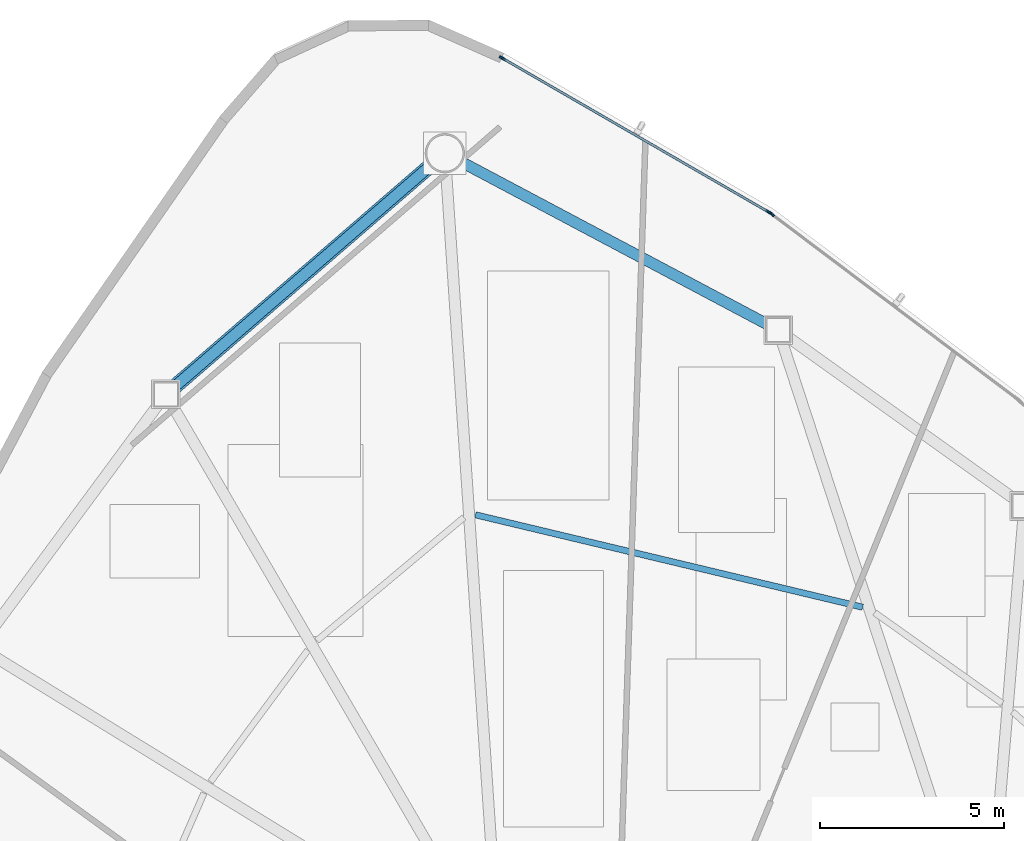
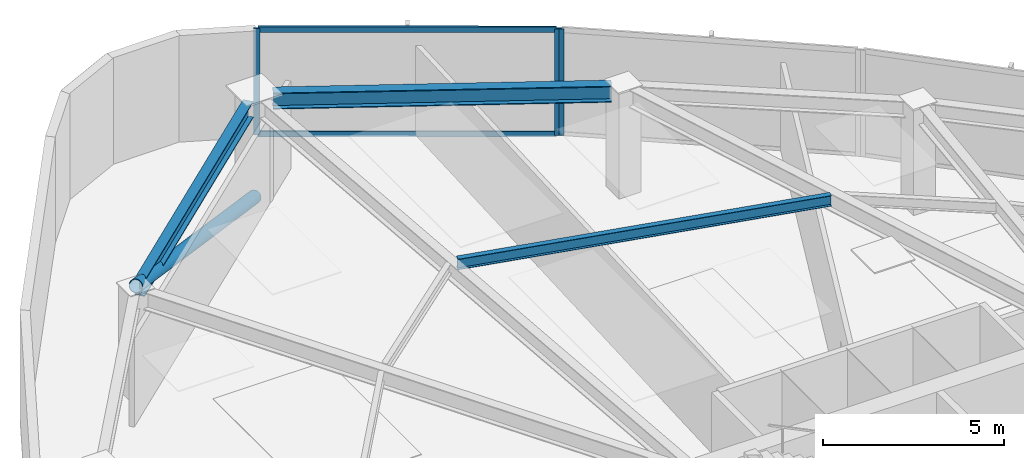
# One storey, part 8 of 17: 6 members, 3 beams, 2 elements without a shape of their own.
"""IFC4 building model written with IfcOpenShell, lengths in metres."""

from ifc_helpers import new_model, si_unit, direction, frame, origin, origin_2d, place, context, subcontext, project, spatial, hollow_rectangle, hollow_circle, i_section, extrude, source, transform, mapped, material, layer, layer_set, material_profile, profile_set, type_object, type_shapes, element, aggregate, save


model = new_model("IFC4")

# Units and contexts
model_context = context("Model", 3, precision=1e-05, world=origin(), true_north=direction((0.0, 1.0)))
body_context = subcontext(model_context, "Body", "Model", "MODEL_VIEW")
ifc_project = project(units=[si_unit("LENGTHUNIT", "METRE"), si_unit("AREAUNIT", "SQUARE_METRE"), si_unit("VOLUMEUNIT", "CUBIC_METRE"), si_unit("PLANEANGLEUNIT", "RADIAN"), si_unit("MASSUNIT", "GRAM", prefix="KILO")], contexts=[model_context])

# Site, building, storey
site_placement = place(None, origin())
site = spatial("IfcSite", under=ifc_project, at=site_placement, CompositionType="ELEMENT")
building_placement = place(site_placement, origin())
building = spatial("IfcBuilding", under=site, at=building_placement, Name="Tavelor Broadcast Tower", CompositionType="ELEMENT")
storey_placement = place(building_placement, frame((0.0, 0.0, 78.300048828125)))
storey = spatial("IfcBuildingStorey", under=building, at=storey_placement, Name="L18", CompositionType="ELEMENT", Elevation=78.300048828125)

# Beams
ifc_material_1 = material(Name="Steel S355", Category="steel")
ifc_material_profile_1 = material_profile(ifc_material_1, i_section(OverallWidth=0.169921875, OverallDepth=0.360107421875, WebThickness=0.008056640625, FlangeThickness=0.0126953125, at=origin_2d()), Name="IPE 360")
ifc_profile_set_1 = profile_set([ifc_material_profile_1], Name="Steel S355")
beam_type_1 = type_object("IfcBeamType", Name="Composite Floor Joist T2 IPE 360", PredefinedType="JOIST", material=ifc_profile_set_1)
beam_1_placement = place(storey_placement, frame((53.252685546875, 60.954345703125, 3.419921875), z_axis=(-0.97267356202, 0.232176962139, 0.0), x_axis=(-0.232176962139, -0.97267356202, 0.0)))
element("IfcBeam", 1, at=beam_1_placement, inside=storey, type_object=beam_type_1, Name="L18 Secondary Composite Floor Joist 18", PredefinedType="JOIST", context=body_context, shape_type="SweptSolid", body=[
    extrude(i_section(OverallWidth=0.169921875, OverallDepth=0.360107421875, WebThickness=0.008056640625, FlangeThickness=0.0126953125, at=origin_2d()), origin(), (0.0, 0.0, 1.0), 10.794921875),
])
ifc_material_profile_2 = material_profile(ifc_material_1, i_section(OverallWidth=0.300048828125, OverallDepth=0.550048828125, WebThickness=0.014892578125, FlangeThickness=0.029052734375, at=origin_2d()), Name="HEB 550")
ifc_profile_set_2 = profile_set([ifc_material_profile_2], Name="Steel S355")
beam_type_2 = type_object("IfcBeamType", Name="Perimeter Spandrel Beam T2 HEB 550", PredefinedType="SPANDREL", material=ifc_profile_set_2)
beam_2_placement = place(storey_placement, frame((41.535400390625, 72.931396484375, 3.324951171875), z_axis=(-0.756652037371, -0.653817783746, 0.0), x_axis=(0.653817783746, -0.756652037371, 0.0)))
element("IfcBeam", 2, at=beam_2_placement, inside=storey, type_object=beam_type_2, Name="L18 Framed-Tube Ring Spandrel 01", PredefinedType="SPANDREL", context=body_context, shape_type="SweptSolid", body=[
    extrude(i_section(OverallWidth=0.300048828125, OverallDepth=0.550048828125, WebThickness=0.014892578125, FlangeThickness=0.029052734375, at=origin_2d()), origin(), (0.0, 0.0, 1.0), 9.15234375),
])
beam_3_placement = place(storey_placement, frame((50.6650390625, 68.626220703125, 3.324951171875), z_axis=(-0.883288784051, 0.468829312192, 0.0), x_axis=(-0.468829312192, -0.883288784051, 0.0)))
element("IfcBeam", 3, at=beam_3_placement, inside=storey, type_object=beam_type_2, Name="L18 Framed-Tube Ring Spandrel 18", PredefinedType="SPANDREL", context=body_context, shape_type="SweptSolid", body=[
    extrude(i_section(OverallWidth=0.300048828125, OverallDepth=0.550048828125, WebThickness=0.014892578125, FlangeThickness=0.029052734375, at=origin_2d()), origin(), (0.0, 0.0, 1.0), 9.384765625),
])

# Member
ifc_material_profile_3 = material_profile(ifc_material_1, hollow_circle(Radius=0.203125, WallThickness=0.02001953125, at=origin_2d()), Name="CHS 406.4x20")
ifc_profile_set_3 = profile_set([ifc_material_profile_3], Name="Steel S355")
member_type_1 = type_object("IfcMemberType", Name="Perimeter Tube Brace T2 CHS 406.4x20", PredefinedType="BRACE", material=ifc_profile_set_3)
member_1_placement = place(storey_placement, frame((41.923095703125, 73.266357421875, 0.0), z_axis=(-0.711928728007, -0.615179557123, 0.338691007758), x_axis=(0.653821967179, -0.756648422475, 0.0)))
element("IfcMember", 4, at=member_1_placement, inside=storey, type_object=member_type_1, Name="L18 Corner Tube Diagonal Brace 1", PredefinedType="BRACE", context=body_context, shape_type="SweptSolid", body=[
    extrude(hollow_circle(Radius=0.203125, WallThickness=0.02001953125, at=origin_2d()), origin(), (0.0, 0.0, 1.0), 10.628662109375),
])

# Curtain wall, member
ifc_material_2 = material(Name="Architectural Anodized Aluminium", Category="aluminium")
ifc_layer = layer(ifc_material_2, 0.179931640625)
ifc_layer_set = layer_set([ifc_layer], Name="Architectural Anodized Aluminium")
curtain_wall_type = type_object("IfcCurtainWallType", Name="Tower Low-Zone Unitised Curtain Wall CW02", PredefinedType="NOTDEFINED", material=ifc_layer_set)
curtain_wall_1_placement = place(storey_placement, origin())
curtain_wall_1 = element("IfcCurtainWall", 5, at=curtain_wall_1_placement, inside=storey, type_object=curtain_wall_type, Name="L18 Curtain Wall CW02 Run 179", PredefinedType="NOTDEFINED")
ifc_material_profile_4 = material_profile(ifc_material_2, hollow_rectangle(XDim=0.06494140625, YDim=0.179931640625, WallThickness=0.02197265625, at=origin_2d()), Name="RHS 65x180x22")
ifc_profile_set_4 = profile_set([ifc_material_profile_4], Name="Architectural Anodized Aluminium")
member_type_2 = type_object("IfcMemberType", Name="CW02 Extruded Aluminium Mullion 65x180", PredefinedType="MULLION", material=ifc_profile_set_4)
shared_shape_1 = source(origin(), body_context, "Body", "SweptSolid", [
    extrude(hollow_rectangle(XDim=0.06494140625, YDim=0.179931640625, WallThickness=0.02197265625, at=origin_2d()), origin(), (0.0, 0.0, 1.0), 3.599853515625),
])
type_shapes(member_type_2, [shared_shape_1])
member_2_placement = place(storey_placement, frame((50.780517578125, 71.617919921875, 0.0), z_axis=(0.0, 0.0, 1.0), x_axis=(-0.601460699094, -0.798902389185, 0.0)))
member_2 = element("IfcMember", 6, at=member_2_placement, type_object=member_type_2, Name="CW02 mullion 2", PredefinedType="MULLION", context=body_context, shape_type="MappedRepresentation", body=[
    mapped(shared_shape_1, transform((0.0, 0.0, 0.0), scale=1.0)),
])
aggregate(curtain_wall_1, [member_2])

# Curtain wall, members
curtain_wall_2_placement = place(storey_placement, origin())
curtain_wall_2 = element("IfcCurtainWall", 7, at=curtain_wall_2_placement, inside=storey, type_object=curtain_wall_type, Name="L18 Curtain Wall CW02 Run 180", PredefinedType="NOTDEFINED")
member_3_placement = place(storey_placement, frame((50.701416015625, 71.670166015625, 0.0), z_axis=(0.0, 0.0, 1.0), x_axis=(-0.500351967173, -0.865822100056, 0.0)))
member_3 = element("IfcMember", 8, at=member_3_placement, type_object=member_type_2, Name="CW02 mullion 1", PredefinedType="MULLION", context=body_context, shape_type="MappedRepresentation", body=[
    mapped(shared_shape_1, transform((0.0, 0.0, 0.0), scale=1.0)),
])
member_4_placement = place(storey_placement, frame((43.484130859375, 75.841064453125, 0.0), z_axis=(0.0, 0.0, 1.0), x_axis=(-0.500351967173, -0.865822100056, 0.0)))
member_4 = element("IfcMember", 9, at=member_4_placement, type_object=member_type_2, Name="CW02 mullion 2", PredefinedType="MULLION", context=body_context, shape_type="MappedRepresentation", body=[
    mapped(shared_shape_1, transform((0.0, 0.0, 0.0), scale=1.0)),
])
ifc_material_profile_5 = material_profile(ifc_material_2, hollow_rectangle(XDim=0.06494140625, YDim=0.179931640625, WallThickness=0.02197265625, at=origin_2d()), Name="RHS 65x180x22")
ifc_profile_set_5 = profile_set([ifc_material_profile_5], Name="Architectural Anodized Aluminium")
member_type_3 = type_object("IfcMemberType", Name="CW02 Extruded Aluminium Transom 65x180", PredefinedType="USERDEFINED", material=ifc_profile_set_5)
shared_shape_2 = source(origin(), body_context, "Body", "SweptSolid", [
    extrude(hollow_rectangle(XDim=0.06494140625, YDim=0.179931640625, WallThickness=0.02197265625, at=origin_2d()), origin(), (0.0, 0.0, 1.0), 8.270751953125),
])
type_shapes(member_type_3, [shared_shape_2])
member_5_placement = place(storey_placement, frame((50.67333984375, 71.6865234375, 0.032470703125), z_axis=(-0.865831542153, 0.500335627966, 0.0), x_axis=(-0.500335627966, -0.865831542153, 0.0)))
member_5 = element("IfcMember", 10, at=member_5_placement, type_object=member_type_3, Name="CW02 transom 1.1", ObjectType="TRANSOM", PredefinedType="USERDEFINED", context=body_context, shape_type="MappedRepresentation", body=[
    mapped(shared_shape_2, transform((0.0, 0.0, 0.0), scale=1.0)),
])
member_6_placement = place(storey_placement, frame((50.67333984375, 71.6865234375, 3.5673828125), z_axis=(-0.865831542153, 0.500335627966, 0.0), x_axis=(-0.500335627966, -0.865831542153, 0.0)))
member_6 = element("IfcMember", 11, at=member_6_placement, type_object=member_type_3, Name="CW02 transom 1.2", ObjectType="TRANSOM", PredefinedType="USERDEFINED", context=body_context, shape_type="MappedRepresentation", body=[
    mapped(shared_shape_2, transform((0.0, 0.0, 0.0), scale=1.0)),
])
aggregate(curtain_wall_2, [member_3, member_4, member_5, member_6])

save(model, "model.ifc")
